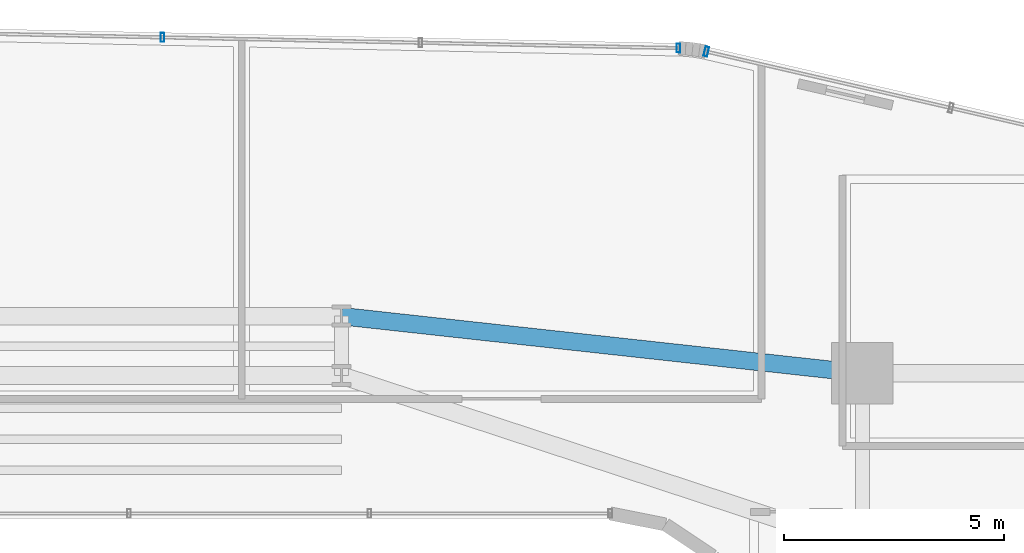
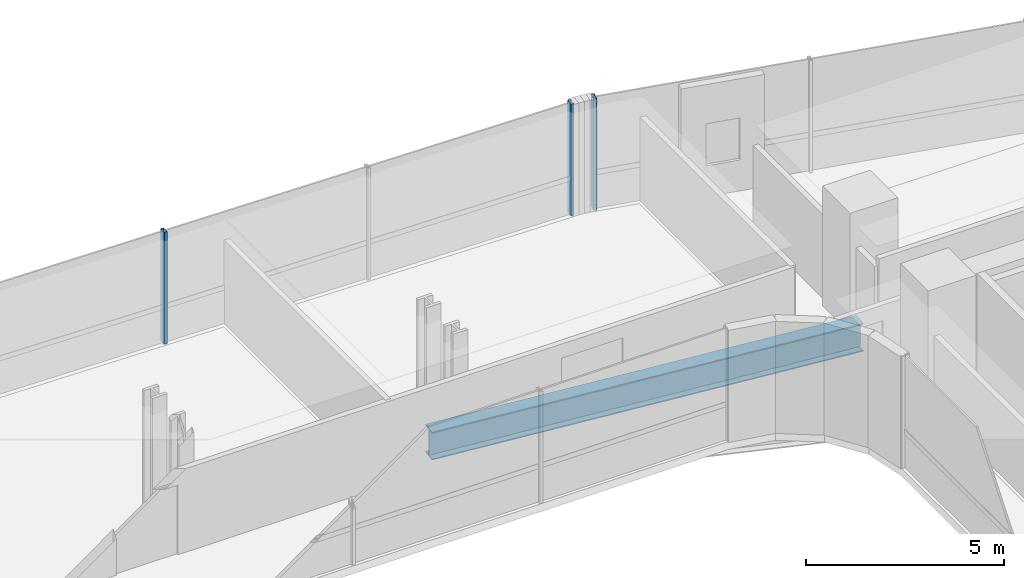
# One storey, part 23 of 40: 3 members, 1 beam, 2 elements without a shape of their own.
"""IFC4 building model written with IfcOpenShell, lengths in metres."""

from ifc_helpers import new_model, si_unit, direction, frame, origin, origin_2d, place, context, subcontext, project, spatial, hollow_rectangle, i_section, extrude, source, transform, mapped, material, material_profile, profile_set, type_object, element, aggregate, save


model = new_model("IFC4")

# Units and contexts
model_context = context("Model", 3, precision=1e-05, world=origin(), true_north=direction((0.0, 1.0)))
body_context = subcontext(model_context, "Body", "Model", "MODEL_VIEW")
ifc_project = project(units=[si_unit("LENGTHUNIT", "METRE"), si_unit("AREAUNIT", "SQUARE_METRE"), si_unit("VOLUMEUNIT", "CUBIC_METRE"), si_unit("PLANEANGLEUNIT", "RADIAN"), si_unit("MASSUNIT", "GRAM", prefix="KILO")], contexts=[model_context])

# Site, building, storey
site_placement = place(None, origin())
site = spatial("IfcSite", under=ifc_project, at=site_placement, CompositionType="ELEMENT")
building_placement = place(site_placement, origin())
building = spatial("IfcBuilding", under=site, at=building_placement, Name="Valdorenza Pilgrim Sanctuary Tower", CompositionType="ELEMENT")
storey_placement = place(building_placement, frame((0.0, 0.0, 48.199951171875)))
storey = spatial("IfcBuildingStorey", under=building, at=storey_placement, Name="L11", CompositionType="ELEMENT", Elevation=48.199951171875)

# Beam
ifc_material_1 = material(Name="Steel ASTM A992 Grade 50", Category="steel")
ifc_material_profile_1 = material_profile(ifc_material_1, i_section(OverallWidth=0.39990234375, OverallDepth=0.862060546875, WebThickness=0.019775390625, FlangeThickness=0.032470703125, at=origin_2d()), Name="W33X221")
ifc_profile_set_1 = profile_set([ifc_material_profile_1], Name="Steel ASTM A992 Grade 50")
beam_type = type_object("IfcBeamType", Name="STR-BM-GRD-W33", PredefinedType="BEAM", material=ifc_profile_set_1)
shared_shape_1 = source(origin(), body_context, "Body", "SweptSolid", [
    extrude(i_section(OverallWidth=0.39990234375, OverallDepth=0.862060546875, WebThickness=0.019775390625, FlangeThickness=0.032470703125, at=origin_2d()), origin(), (0.0, 0.0, 1.0), 11.921142578125),
])
beam_placement = place(storey_placement, frame((4.0, 14.800048828125, -0.6708984375), z_axis=(0.994035876607, -0.10905354656, 0.0), x_axis=(0.10905354656, 0.994035876607, 0.0)))
element("IfcBeam", 1, at=beam_placement, inside=storey, type_object=beam_type, Name="L11 Floor Girder KNK-G6", PredefinedType="BEAM", context=body_context, shape_type="MappedRepresentation", body=[
    mapped(shared_shape_1, transform((0.0, 0.0, 0.0), x_axis=(1.0, 0.0, 0.0), y_axis=(0.0, 1.0, 0.0), z_axis=(0.0, 0.0, 1.0), scale=1.0)),
])

# Curtain wall, members
ifc_material_2 = material(Name="Curtain-wall IGU glazing", Category="glass")
curtain_wall_type_1 = type_object("IfcCurtainWallType", Name="CW-SYS-02", PredefinedType="NOTDEFINED", material=ifc_material_2)
curtain_wall_1_placement = place(storey_placement, origin())
curtain_wall_1 = element("IfcCurtainWall", 2, at=curtain_wall_1_placement, inside=storey, type_object=curtain_wall_type_1, Name="L11 Curtain Wall CW-L11-1-11", PredefinedType="NOTDEFINED")
ifc_material_3 = material(Name="Anodised aluminium AW-6060", Category="aluminium")
ifc_material_profile_2 = material_profile(ifc_material_3, hollow_rectangle(XDim=0.0849609375, YDim=0.199951171875, WallThickness=0.0048828125, at=origin_2d()), Name="ALU-M 200x85x5")
ifc_profile_set_2 = profile_set([ifc_material_profile_2], Name="Anodised aluminium AW-6060")
member_type_1 = type_object("IfcMemberType", Name="CW-MUL-02", PredefinedType="MULLION", material=ifc_profile_set_2)
shared_shape_2 = source(origin(), body_context, "Body", "SweptSolid", [
    extrude(hollow_rectangle(XDim=0.0849609375, YDim=0.199951171875, WallThickness=0.0048828125, at=origin_2d()), origin(), (0.0, 0.0, 1.0), 3.4599609375),
])
member_1_placement = place(storey_placement, frame((-0.0712890625, 21.1416015625, 0.0), z_axis=(0.0, 0.0, 1.0), x_axis=(0.999783234613, -0.020820273474, 0.0)))
member_1 = element("IfcMember", 3, at=member_1_placement, type_object=member_type_1, Name="CW-L11-1-11 Mullion 3", PredefinedType="MULLION", context=body_context, shape_type="MappedRepresentation", body=[
    mapped(shared_shape_2, transform((0.0, 0.0, 0.0), x_axis=(1.0, 0.0, 0.0), y_axis=(0.0, 1.0, 0.0), z_axis=(0.0, 0.0, 1.0), scale=1.0)),
])
member_2_placement = place(storey_placement, frame((11.665771484375, 20.89697265625, 0.0), z_axis=(0.0, 0.0, 1.0), x_axis=(0.999783234613, -0.020820273474, 0.0)))
member_2 = element("IfcMember", 4, at=member_2_placement, type_object=member_type_1, Name="CW-L11-1-11 Mullion 5", PredefinedType="MULLION", context=body_context, shape_type="MappedRepresentation", body=[
    mapped(shared_shape_2, transform((0.0, 0.0, 0.0), x_axis=(1.0, 0.0, 0.0), y_axis=(0.0, 1.0, 0.0), z_axis=(0.0, 0.0, 1.0), scale=1.0)),
])
aggregate(curtain_wall_1, [member_1, member_2])

# Curtain wall, member
curtain_wall_type_2 = type_object("IfcCurtainWallType", Name="CW-SYS-03", PredefinedType="NOTDEFINED", material=ifc_material_2)
curtain_wall_2_placement = place(storey_placement, origin())
curtain_wall_2 = element("IfcCurtainWall", 5, at=curtain_wall_2_placement, inside=storey, type_object=curtain_wall_type_2, Name="L11 Curtain Wall CW-L11-1-16", PredefinedType="NOTDEFINED")
ifc_material_profile_3 = material_profile(ifc_material_3, hollow_rectangle(XDim=0.0849609375, YDim=0.219970703125, WallThickness=0.0048828125, at=origin_2d()), Name="ALU-M 220x85x5")
ifc_profile_set_3 = profile_set([ifc_material_profile_3], Name="Anodised aluminium AW-6060")
member_type_2 = type_object("IfcMemberType", Name="CW-MUL-03", PredefinedType="MULLION", material=ifc_profile_set_3)
shared_shape_3 = source(origin(), body_context, "Body", "SweptSolid", [
    extrude(hollow_rectangle(XDim=0.0849609375, YDim=0.219970703125, WallThickness=0.0048828125, at=origin_2d()), origin(), (0.0, 0.0, 1.0), 3.4599609375),
])
member_3_placement = place(storey_placement, frame((12.299072265625, 20.818115234375, 0.0), z_axis=(0.0, 0.0, 1.0), x_axis=(0.974389691758, -0.224866023659, 0.0)))
member_3 = element("IfcMember", 6, at=member_3_placement, type_object=member_type_2, Name="CW-L11-1-16 Mullion 1", PredefinedType="MULLION", context=body_context, shape_type="MappedRepresentation", body=[
    mapped(shared_shape_3, transform((0.0, 0.0, 0.0), x_axis=(1.0, 0.0, 0.0), y_axis=(0.0, 1.0, 0.0), z_axis=(0.0, 0.0, 1.0), scale=1.0)),
])
aggregate(curtain_wall_2, [member_3])

save(model, "model.ifc")
